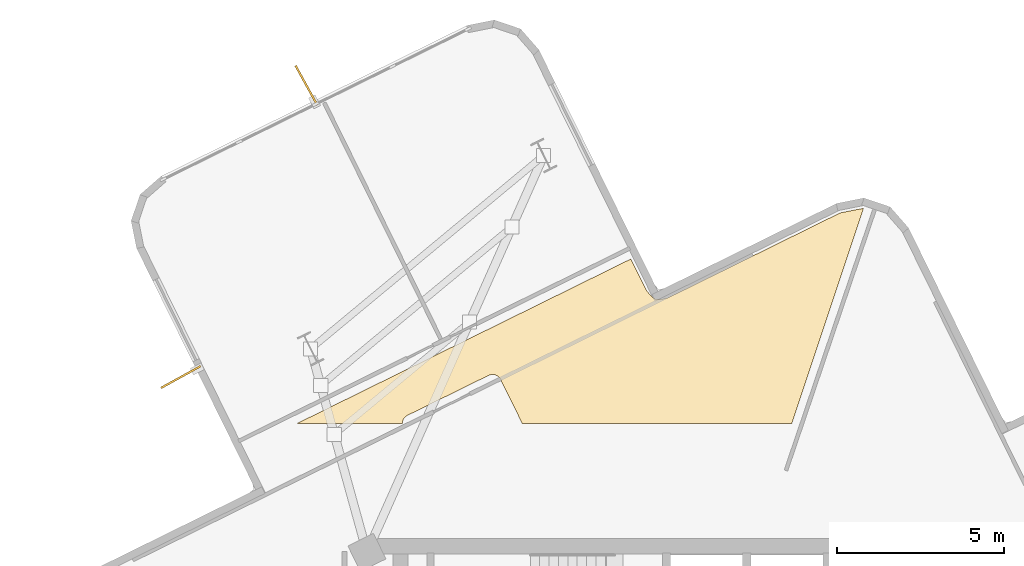
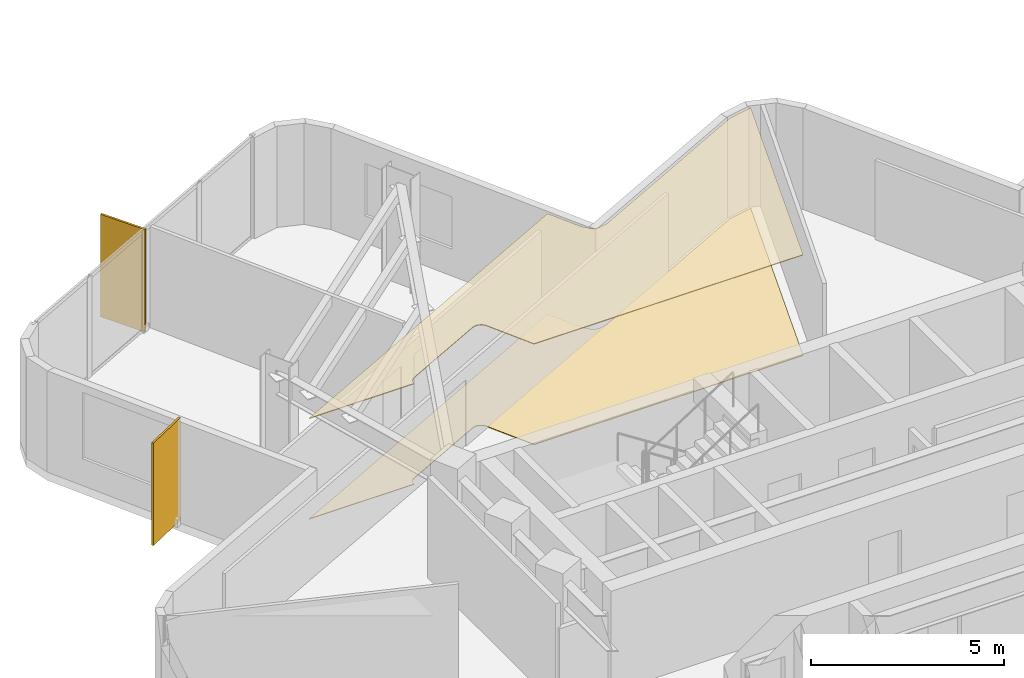
# One storey, part 11 of 11: 2 coverings, 2 shading devices.
"""IFC4 building model written with IfcOpenShell, lengths in metres."""

from ifc_helpers import new_model, si_unit, direction, frame, origin, origin_2d, place, context, subcontext, project, spatial, polyline, rectangle, outline, extrude, material, layer, layer_set, type_object, element, save


model = new_model("IFC4")

# Units and contexts
model_context = context("Model", 3, precision=1e-05, world=origin(), true_north=direction((0.0, 1.0)))
body_context = subcontext(model_context, "Body", "Model", "MODEL_VIEW")
ifc_project = project(units=[si_unit("LENGTHUNIT", "METRE"), si_unit("AREAUNIT", "SQUARE_METRE"), si_unit("VOLUMEUNIT", "CUBIC_METRE"), si_unit("PLANEANGLEUNIT", "RADIAN"), si_unit("MASSUNIT", "GRAM", prefix="KILO")], contexts=[model_context])

# Site, building, storey
site_placement = place(None, origin())
site = spatial("IfcSite", under=ifc_project, at=site_placement, CompositionType="ELEMENT")
building_placement = place(site_placement, origin())
building = spatial("IfcBuilding", under=site, at=building_placement, Name="Solmarez Civic Tower", CompositionType="ELEMENT")
storey_placement = place(building_placement, frame((0.0, 0.0, 192.60009765625)))
storey = spatial("IfcBuildingStorey", under=building, at=storey_placement, Name="L51", CompositionType="ELEMENT", Elevation=192.60009765625)

# Coverings
ifc_material_1 = material(Name="Perforated Mineral-Fibre Acoustic Ceiling")
ifc_layer_1 = layer(ifc_material_1, 0.02490234375)
ifc_layer_set_1 = layer_set([ifc_layer_1], Name="Perforated Mineral-Fibre Acoustic Ceiling")
covering_type_1 = type_object("IfcCoveringType", Name="COV-CEIL-ACOUSTIC", PredefinedType="CEILING", material=ifc_layer_set_1)
covering_1_placement = place(storey_placement, frame((0.0, 0.0, 3.1748046875)))
element("IfcCovering", 1, at=covering_1_placement, inside=storey, type_object=covering_type_1, Name="L51 Suspended Acoustic Ceiling 3", PredefinedType="CEILING", context=body_context, shape_type="SweptSolid", body=[
    extrude(outline(polyline([(-10.94091796875, 12.199951171875), (-7.7900390625, 12.199951171875), (-7.7900390625, 12.205078125), (-7.7890625, 12.22900390625), (-7.7880859375, 12.238037109375), (-7.784912109375, 12.258056640625), (-7.780029296875, 12.277099609375), (-7.777099609375, 12.285888671875), (-7.77001953125, 12.304931640625), (-7.761962890625, 12.322998046875), (-7.7529296875, 12.341064453125), (-7.748046875, 12.34912109375), (-7.73388671875, 12.367919921875), (-7.714111328125, 12.39208984375), (-7.7099609375, 12.39599609375), (-7.69091796875, 12.412109375), (-7.6708984375, 12.427001953125), (-7.666015625, 12.428955078125), (-7.656982421875, 12.43505859375), (-7.638916015625, 12.445068359375), (-5.212890625, 13.639892578125), (-5.196044921875, 13.64794921875), (-5.177978515625, 13.654052734375), (-5.158935546875, 13.658935546875), (-5.154052734375, 13.659912109375), (-5.14892578125, 13.660888671875), (-5.1279296875, 13.6640625), (-5.117919921875, 13.6650390625), (-5.094970703125, 13.666015625), (-5.072021484375, 13.6650390625), (-5.06298828125, 13.6640625), (-5.04296875, 13.660888671875), (-5.02392578125, 13.656005859375), (-5.0048828125, 13.64892578125), (-5.0, 13.64697265625), (-4.992919921875, 13.64404296875), (-4.98388671875, 13.639892578125), (-4.9560546875, 13.6259765625), (-4.947998046875, 13.62109375), (-4.927978515625, 13.60595703125), (-4.908935546875, 13.590087890625), (-4.905029296875, 13.5859375), (-4.888916015625, 13.56689453125), (-4.8740234375, 13.547119140625), (-4.8720703125, 13.5419921875), (-4.865966796875, 13.532958984375), (-4.85595703125, 13.514892578125), (-4.2080078125, 12.199951171875), (3.837890625, 12.199951171875), (5.98095703125, 18.625), (5.97412109375, 18.6279296875), (5.279052734375, 18.489990234375), (0.16796875, 15.969970703125), (0.162109375, 15.967041015625), (0.14404296875, 15.958984375), (0.1240234375, 15.951904296875), (0.116943359375, 15.949951171875), (0.110107421875, 15.947998046875), (0.092041015625, 15.944091796875), (-0.076904296875, 15.910888671875), (-0.087890625, 15.908935546875), (-0.09912109375, 15.907958984375), (-0.10693359375, 15.906982421875), (-0.134033203125, 15.905029296875), (-0.14111328125, 15.905029296875), (-0.16796875, 15.906982421875), (-0.18701171875, 15.909912109375), (-0.194091796875, 15.912109375), (-0.2060546875, 15.9140625), (-0.22509765625, 15.9189453125), (-0.242919921875, 15.926025390625), (-0.257080078125, 15.931884765625), (-0.279052734375, 15.943115234375), (-0.285888671875, 15.947021484375), (-0.299072265625, 15.955078125), (-0.304931640625, 15.958984375), (-0.323974609375, 15.972900390625), (-0.330078125, 15.97802734375), (-0.344970703125, 15.990966796875), (-0.35009765625, 15.99609375), (-0.35888671875, 16.007080078125), (-0.472900390625, 16.136962890625), (-0.47998046875, 16.14501953125), (-0.48388671875, 16.14990234375), (-0.4951171875, 16.1650390625), (-0.4990234375, 16.1708984375), (-0.512939453125, 16.195068359375), (-0.51611328125, 16.201904296875), (-0.967041015625, 17.115966796875), (-10.94091796875, 12.199951171875)])), origin(), (0.0, 0.0, 1.0), 0.025146484375),
])
ifc_material_2 = material(Name="Polished Tropical Stone Terrazzo Flooring", Category="masonry")
ifc_layer_2 = layer(ifc_material_2, 0.02001953125)
ifc_layer_set_2 = layer_set([ifc_layer_2], Name="Polished Tropical Stone Terrazzo Flooring")
covering_type_2 = type_object("IfcCoveringType", Name="COV-FLOOR-TERRAZZO", PredefinedType="FLOORING", material=ifc_layer_set_2)
covering_2_placement = place(storey_placement, origin())
element("IfcCovering", 2, at=covering_2_placement, inside=storey, type_object=covering_type_2, Name="L51 Terrazzo Floor Finish 3", PredefinedType="FLOORING", context=body_context, shape_type="SweptSolid", body=[
    extrude(outline(polyline([(-10.94091796875, 12.199951171875), (-7.7900390625, 12.199951171875), (-7.7900390625, 12.205078125), (-7.7890625, 12.22900390625), (-7.7880859375, 12.238037109375), (-7.784912109375, 12.258056640625), (-7.780029296875, 12.277099609375), (-7.777099609375, 12.285888671875), (-7.77001953125, 12.304931640625), (-7.761962890625, 12.322998046875), (-7.7529296875, 12.341064453125), (-7.748046875, 12.34912109375), (-7.73388671875, 12.367919921875), (-7.714111328125, 12.39208984375), (-7.7099609375, 12.39599609375), (-7.69091796875, 12.412109375), (-7.6708984375, 12.427001953125), (-7.666015625, 12.428955078125), (-7.656982421875, 12.43505859375), (-7.638916015625, 12.445068359375), (-5.212890625, 13.639892578125), (-5.196044921875, 13.64794921875), (-5.177978515625, 13.654052734375), (-5.158935546875, 13.658935546875), (-5.154052734375, 13.659912109375), (-5.14892578125, 13.660888671875), (-5.1279296875, 13.6640625), (-5.117919921875, 13.6650390625), (-5.094970703125, 13.666015625), (-5.072021484375, 13.6650390625), (-5.06298828125, 13.6640625), (-5.04296875, 13.660888671875), (-5.02392578125, 13.656005859375), (-5.0048828125, 13.64892578125), (-5.0, 13.64697265625), (-4.992919921875, 13.64404296875), (-4.98388671875, 13.639892578125), (-4.9560546875, 13.6259765625), (-4.947998046875, 13.62109375), (-4.927978515625, 13.60595703125), (-4.908935546875, 13.590087890625), (-4.905029296875, 13.5859375), (-4.888916015625, 13.56689453125), (-4.8740234375, 13.547119140625), (-4.8720703125, 13.5419921875), (-4.865966796875, 13.532958984375), (-4.85595703125, 13.514892578125), (-4.2080078125, 12.199951171875), (3.837890625, 12.199951171875), (5.98095703125, 18.625), (5.97412109375, 18.6279296875), (5.279052734375, 18.489990234375), (0.16796875, 15.969970703125), (0.162109375, 15.967041015625), (0.14404296875, 15.958984375), (0.1240234375, 15.951904296875), (0.116943359375, 15.949951171875), (0.110107421875, 15.947998046875), (0.092041015625, 15.944091796875), (-0.076904296875, 15.910888671875), (-0.087890625, 15.908935546875), (-0.09912109375, 15.907958984375), (-0.10693359375, 15.906982421875), (-0.134033203125, 15.905029296875), (-0.14111328125, 15.905029296875), (-0.16796875, 15.906982421875), (-0.18701171875, 15.909912109375), (-0.194091796875, 15.912109375), (-0.2060546875, 15.9140625), (-0.22509765625, 15.9189453125), (-0.242919921875, 15.926025390625), (-0.257080078125, 15.931884765625), (-0.279052734375, 15.943115234375), (-0.285888671875, 15.947021484375), (-0.299072265625, 15.955078125), (-0.304931640625, 15.958984375), (-0.323974609375, 15.972900390625), (-0.330078125, 15.97802734375), (-0.344970703125, 15.990966796875), (-0.35009765625, 15.99609375), (-0.35888671875, 16.007080078125), (-0.472900390625, 16.136962890625), (-0.47998046875, 16.14501953125), (-0.48388671875, 16.14990234375), (-0.4951171875, 16.1650390625), (-0.4990234375, 16.1708984375), (-0.512939453125, 16.195068359375), (-0.51611328125, 16.201904296875), (-0.967041015625, 17.115966796875), (-10.94091796875, 12.199951171875)])), origin(), (0.0, 0.0, 1.0), 0.02001953125),
])

# Shading devices
ifc_material_3 = material(Name="Bronze Anodised Aluminium EN AW-6063 T6", Category="aluminium")
ifc_layer_3 = layer(ifc_material_3, 0.06005859375)
ifc_layer_set_3 = layer_set([ifc_layer_3], Name="Bronze Anodised Aluminium EN AW-6063 T6")
shading_device_type = type_object("IfcShadingDeviceType", Name="FIN-BRONZE-Z34", PredefinedType="USERDEFINED", material=ifc_layer_set_3)
for number, where, z_axis, x_axis, name in (
    (3, (-14.408935546875, 13.590087890625, -0.0400390625), (0.0, 0.0, 1.0), (-0.876163702281, -0.482013658318, 0.0), "L51 Anodised Bronze Solar Fin FIN-L51-03"),
    (4, (-10.657958984375, 22.301025390625, -0.0400390625), (0.0, 0.0, 1.0), (-0.482059533482, 0.876138462904, 0.0), "L51 Anodised Bronze Solar Fin FIN-L51-04"),
):
    element("IfcShadingDevice", number, at=place(storey_placement, frame(where, z_axis=z_axis, x_axis=x_axis)), inside=storey, type_object=shading_device_type, Name=name, ObjectType="FIN", PredefinedType="USERDEFINED", context=body_context, shape_type="SweptSolid", body=[
        extrude(rectangle(XDim=1.35009765625, YDim=0.06005859375, at=origin_2d()), origin(), (0.0, 0.0, 1.0), 3.239990234375),
    ])

save(model, "model.ifc")
